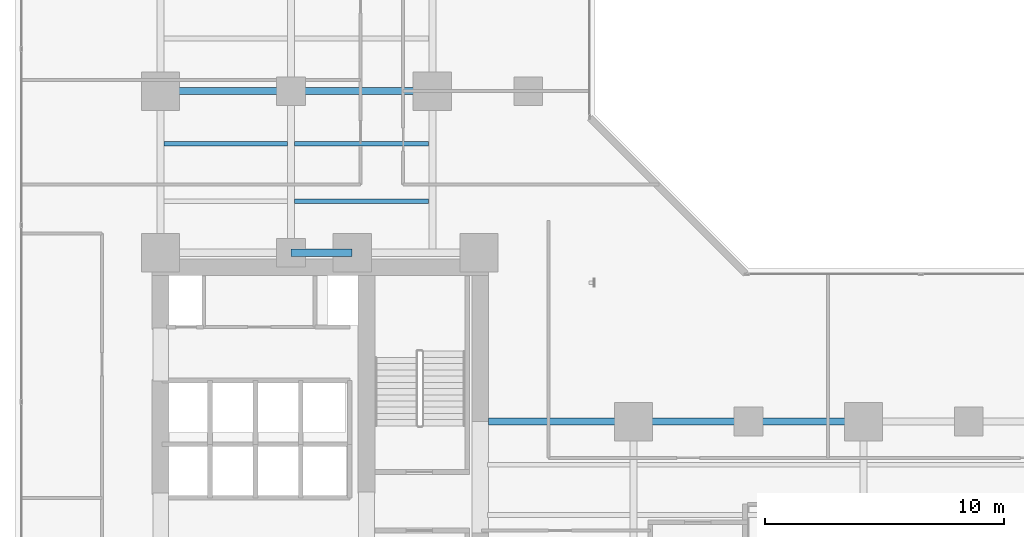
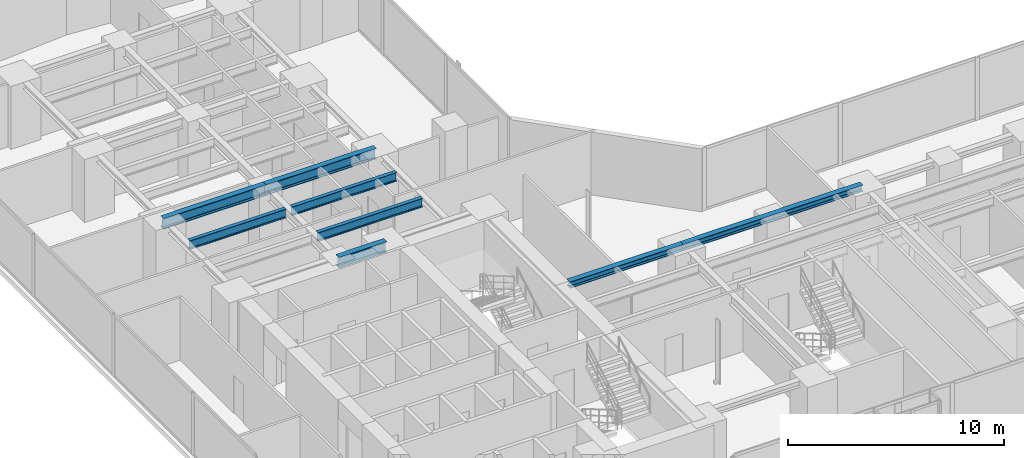
# One storey, part 7 of 27: 8 beams.
"""IFC4 building model written with IfcOpenShell, lengths in metres."""

from ifc_helpers import new_model, si_unit, direction, frame, origin, origin_2d, place, context, subcontext, project, spatial, i_section, extrude, material, material_profile, profile_set, type_object, element, save


model = new_model("IFC4")

# Units and contexts
model_context = context("Model", 3, precision=1e-05, world=origin(), true_north=direction((0.0, 1.0)))
body_context = subcontext(model_context, "Body", "Model", "MODEL_VIEW")
ifc_project = project(units=[si_unit("LENGTHUNIT", "METRE"), si_unit("AREAUNIT", "SQUARE_METRE"), si_unit("VOLUMEUNIT", "CUBIC_METRE"), si_unit("PLANEANGLEUNIT", "RADIAN"), si_unit("MASSUNIT", "GRAM", prefix="KILO")], contexts=[model_context])

# Site, building, storey
site_placement = place(None, origin())
site = spatial("IfcSite", under=ifc_project, at=site_placement, CompositionType="ELEMENT")
building_placement = place(site_placement, origin())
building = spatial("IfcBuilding", under=site, at=building_placement, Name="Kolvaren Waterfront Exchange", CompositionType="ELEMENT")
storey_placement = place(building_placement, frame((0.0, 0.0, 63.800048828125)))
storey = spatial("IfcBuildingStorey", under=building, at=storey_placement, Name="L16", CompositionType="ELEMENT", Elevation=63.800048828125)

# Beams
ifc_material = material(Name="Steel S355", Category="steel")
ifc_material_profile_1 = material_profile(ifc_material, i_section(OverallWidth=0.300048828125, OverallDepth=0.360107421875, WebThickness=0.012451171875, FlangeThickness=0.0224609375, FilletRadius=0.027099609375, at=origin_2d()), Name="HEB360")
ifc_profile_set_1 = profile_set([ifc_material_profile_1], Name="Steel S355")
beam_type_1 = type_object("IfcBeamType", Name="STR-BM-HEB360", PredefinedType="SPANDREL", material=ifc_profile_set_1)
beam_1_placement = place(storey_placement, frame((21.14990234375, 17.39990234375, 3.35986328125), z_axis=(1.0, 0.0, 0.0), x_axis=(0.0, 1.0, 0.0)))
element("IfcBeam", 1, at=beam_1_placement, inside=storey, type_object=beam_type_1, Name="L16 east-arm spandrel N1", PredefinedType="SPANDREL", context=body_context, shape_type="SweptSolid", body=[
    extrude(i_section(OverallWidth=0.300048828125, OverallDepth=0.360107421875, WebThickness=0.012451171875, FlangeThickness=0.0224609375, FilletRadius=0.027099609375, at=origin_2d()), origin(), (0.0, 0.0, 1.0), 6.050048828125),
])
beam_2_placement = place(storey_placement, frame((27.199951171875, 17.39990234375, 3.35986328125), z_axis=(1.0, 0.0, 0.0), x_axis=(0.0, 1.0, 0.0)))
element("IfcBeam", 2, at=beam_2_placement, inside=storey, type_object=beam_type_1, Name="L16 east-arm spandrel N2", PredefinedType="SPANDREL", context=body_context, shape_type="SweptSolid", body=[
    extrude(i_section(OverallWidth=0.300048828125, OverallDepth=0.360107421875, WebThickness=0.012451171875, FlangeThickness=0.0224609375, FilletRadius=0.027099609375, at=origin_2d()), origin(), (0.0, 0.0, 1.0), 9.60009765625),
])
ifc_material_profile_2 = material_profile(ifc_material, i_section(OverallWidth=0.300048828125, OverallDepth=0.60009765625, WebThickness=0.015380859375, FlangeThickness=0.030029296875, FilletRadius=0.027099609375, at=origin_2d()), Name="HEB600")
ifc_profile_set_2 = profile_set([ifc_material_profile_2], Name="Steel S355")
beam_type_2 = type_object("IfcBeamType", Name="STR-BM-HEB600", PredefinedType="BEAM", material=ifc_profile_set_2)
beam_3_placement = place(storey_placement, frame((12.89990234375, 24.449951171875, 3.239990234375), z_axis=(1.0, 0.0, 0.0), x_axis=(0.0, 1.0, 0.0)))
element("IfcBeam", 3, at=beam_3_placement, inside=storey, type_object=beam_type_2, Name="L16 north-arm girder 1B", PredefinedType="BEAM", context=body_context, shape_type="SweptSolid", body=[
    extrude(i_section(OverallWidth=0.300048828125, OverallDepth=0.60009765625, WebThickness=0.015380859375, FlangeThickness=0.030029296875, FilletRadius=0.027099609375, at=origin_2d()), origin(), (0.0, 0.0, 1.0), 2.550048828125),
])
beam_4_placement = place(storey_placement, frame((7.449951171875, 31.199951171875, 3.239990234375), z_axis=(1.0, 0.0, 0.0), x_axis=(0.0, 1.0, 0.0)))
element("IfcBeam", 4, at=beam_4_placement, inside=storey, type_object=beam_type_2, Name="L16 north-arm girder 2A", PredefinedType="BEAM", context=body_context, shape_type="SweptSolid", body=[
    extrude(i_section(OverallWidth=0.300048828125, OverallDepth=0.60009765625, WebThickness=0.015380859375, FlangeThickness=0.030029296875, FilletRadius=0.027099609375, at=origin_2d()), origin(), (0.0, 0.0, 1.0), 5.449951171875),
])
beam_5_placement = place(storey_placement, frame((12.89990234375, 31.199951171875, 3.239990234375), z_axis=(1.0, 0.0, 0.0), x_axis=(0.0, 1.0, 0.0)))
element("IfcBeam", 5, at=beam_5_placement, inside=storey, type_object=beam_type_2, Name="L16 north-arm girder 2B", PredefinedType="BEAM", context=body_context, shape_type="SweptSolid", body=[
    extrude(i_section(OverallWidth=0.300048828125, OverallDepth=0.60009765625, WebThickness=0.015380859375, FlangeThickness=0.030029296875, FilletRadius=0.027099609375, at=origin_2d()), origin(), (0.0, 0.0, 1.0), 5.900146484375),
])
ifc_material_profile_3 = material_profile(ifc_material, i_section(OverallWidth=0.199951171875, OverallDepth=0.5, WebThickness=0.01025390625, FlangeThickness=0.01611328125, FilletRadius=0.02099609375, at=origin_2d()), Name="IPE500")
ifc_profile_set_3 = profile_set([ifc_material_profile_3], Name="Steel S355")
beam_type_3 = type_object("IfcBeamType", Name="STR-BM-IPE500", PredefinedType="JOIST", material=ifc_profile_set_3)
beam_6_placement = place(storey_placement, frame((13.052001953125, 26.60009765625, 3.2900390625), z_axis=(1.0, 0.0, 0.0), x_axis=(0.0, 1.0, 0.0)))
element("IfcBeam", 6, at=beam_6_placement, inside=storey, type_object=beam_type_3, Name="L16 north-arm composite joist 1B", PredefinedType="JOIST", context=body_context, shape_type="SweptSolid", body=[
    extrude(i_section(OverallWidth=0.199951171875, OverallDepth=0.5, WebThickness=0.01025390625, FlangeThickness=0.01611328125, FilletRadius=0.02099609375, at=origin_2d()), origin(), (0.0, 0.0, 1.0), 5.595947265625),
])
beam_7_placement = place(storey_placement, frame((7.60205078125, 29.0, 3.2900390625), z_axis=(1.0, 0.0, 0.0), x_axis=(0.0, 1.0, 0.0)))
element("IfcBeam", 7, at=beam_7_placement, inside=storey, type_object=beam_type_3, Name="L16 north-arm composite joist 2A", PredefinedType="JOIST", context=body_context, shape_type="SweptSolid", body=[
    extrude(i_section(OverallWidth=0.199951171875, OverallDepth=0.5, WebThickness=0.01025390625, FlangeThickness=0.01611328125, FilletRadius=0.02099609375, at=origin_2d()), origin(), (0.0, 0.0, 1.0), 5.14599609375),
])
beam_8_placement = place(storey_placement, frame((13.052001953125, 29.0, 3.2900390625), z_axis=(1.0, 0.0, 0.0), x_axis=(0.0, 1.0, 0.0)))
element("IfcBeam", 8, at=beam_8_placement, inside=storey, type_object=beam_type_3, Name="L16 north-arm composite joist 2B", PredefinedType="JOIST", context=body_context, shape_type="SweptSolid", body=[
    extrude(i_section(OverallWidth=0.199951171875, OverallDepth=0.5, WebThickness=0.01025390625, FlangeThickness=0.01611328125, FilletRadius=0.02099609375, at=origin_2d()), origin(), (0.0, 0.0, 1.0), 5.595947265625),
])

save(model, "model.ifc")
